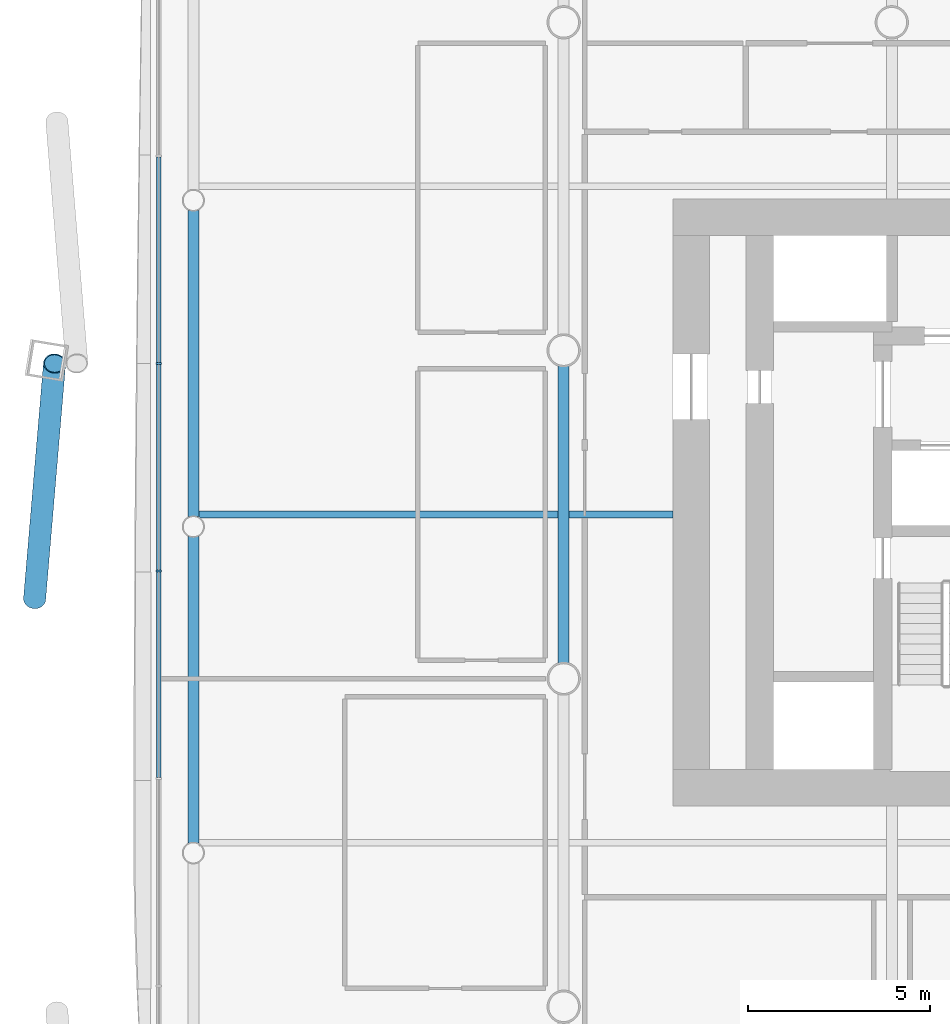
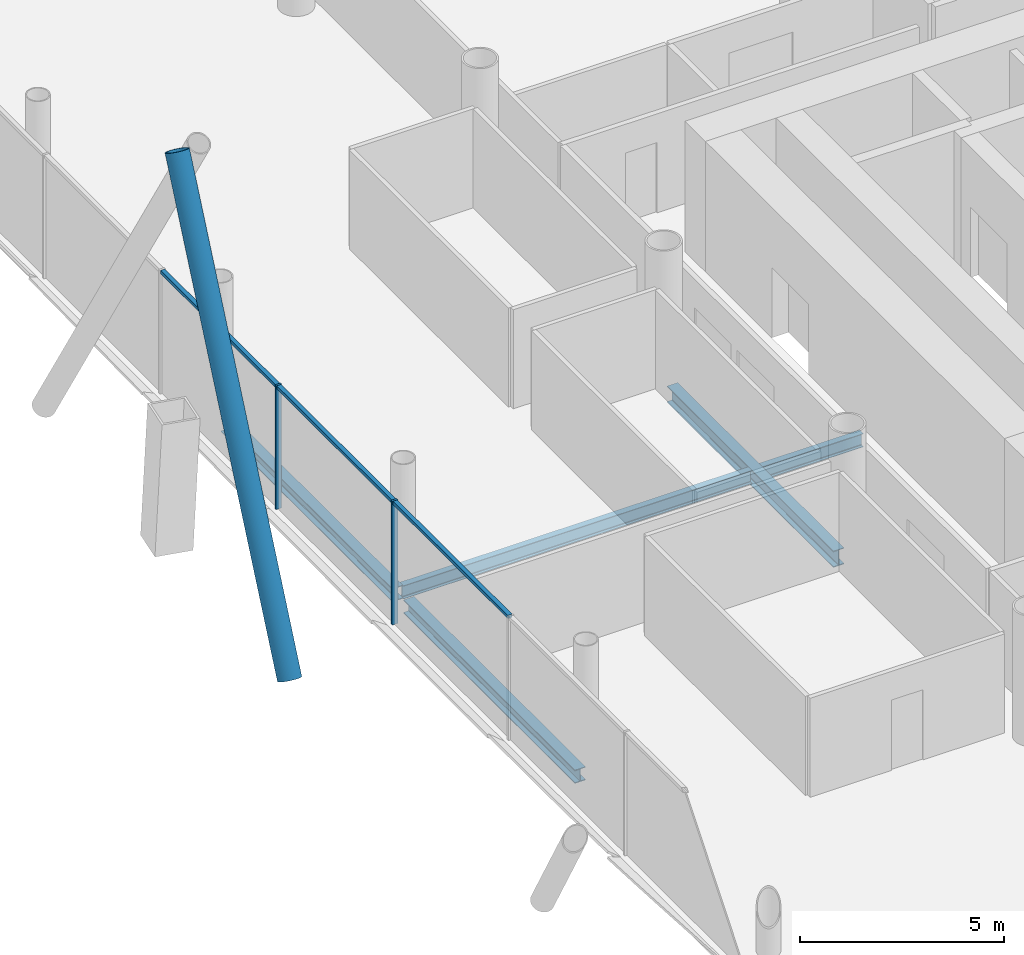
# One storey, part 4 of 21: 6 members, 5 beams, 1 element without a shape of its own.
"""IFC4 building model written with IfcOpenShell, lengths in metres."""

from ifc_helpers import new_model, si_unit, direction, frame, origin, origin_2d, place, context, subcontext, project, spatial, rectangle, hollow_circle, i_section, extrude, material, material_profile, profile_set, type_object, element, aggregate, save


model = new_model("IFC4")

# Units and contexts
model_context = context("Model", 3, precision=1e-05, world=origin(), true_north=direction((0.0, 1.0)))
body_context = subcontext(model_context, "Body", "Model", "MODEL_VIEW")
ifc_project = project(units=[si_unit("LENGTHUNIT", "METRE"), si_unit("AREAUNIT", "SQUARE_METRE"), si_unit("VOLUMEUNIT", "CUBIC_METRE"), si_unit("PLANEANGLEUNIT", "RADIAN"), si_unit("MASSUNIT", "GRAM", prefix="KILO")], contexts=[model_context])

# Site, building, storey
site_placement = place(None, origin())
site = spatial("IfcSite", under=ifc_project, at=site_placement, CompositionType="ELEMENT")
building_placement = place(site_placement, origin())
building = spatial("IfcBuilding", under=site, at=building_placement, Name="Tskaro Facet Tower", CompositionType="ELEMENT")
storey_placement = place(building_placement, frame((0.0, 0.0, 45.89990234375)))
storey = spatial("IfcBuildingStorey", under=building, at=storey_placement, Name="L10", CompositionType="ELEMENT", Elevation=45.89990234375)

# Member
ifc_material_1 = material(Name="Steel S355J2H", Category="steel")
ifc_material_profile_1 = material_profile(ifc_material_1, hollow_circle(Radius=0.304931640625, WallThickness=0.030029296875, at=origin_2d()), Name="CHS 610x30")
ifc_profile_set_1 = profile_set([ifc_material_profile_1], Name="Steel S355J2H")
member_type_1 = type_object("IfcMemberType", Name="CHS 610x30 brace", PredefinedType="BRACE", material=ifc_profile_set_1)
member_1_placement = place(storey_placement, frame((-32.51171875, -6.813720703125, 0.0), z_axis=(0.040944750043, 0.482702641719, 0.874826661186), x_axis=(-0.996421745721, 0.084520439271, 0.0)))
element("IfcMember", 1, at=member_1_placement, inside=storey, type_object=member_type_1, Name="CHS 610x30 XB11B/1", PredefinedType="BRACE", context=body_context, shape_type="SweptSolid", body=[
    extrude(hollow_circle(Radius=0.304931640625, WallThickness=0.030029296875, at=origin_2d()), origin(), (0.0, 0.0, 1.0), 13.374267578125),
])

# Curtain wall, members
ifc_material_2 = material(Name="Bronze anodised aluminium 6063-T6", Category="aluminium")
curtain_wall_type = type_object("IfcCurtainWallType", Name="Bronze office curtain wall (FW1)", PredefinedType="NOTDEFINED", material=ifc_material_2)
curtain_wall_placement = place(storey_placement, origin())
curtain_wall = element("IfcCurtainWall", 2, at=curtain_wall_placement, inside=storey, type_object=curtain_wall_type, Name="FW1 west facet L10", PredefinedType="NOTDEFINED")
ifc_material_profile_2 = material_profile(ifc_material_2, rectangle(XDim=0.06005859375, YDim=0.159912109375, at=origin_2d()), Name="Mullion 60x160")
ifc_profile_set_2 = profile_set([ifc_material_profile_2], Name="Bronze anodised aluminium 6063-T6")
member_type_2 = type_object("IfcMemberType", Name="FW1 bronze mullion 60x160", PredefinedType="MULLION", material=ifc_profile_set_2)
member_2_placement = place(storey_placement, frame((-29.10693359375, -0.3583984375, 0.0), z_axis=(0.0, 0.0, 1.0), x_axis=(0.0, -1.0, 0.0)))
member_2 = element("IfcMember", 3, at=member_2_placement, type_object=member_type_2, Name="FW1 west mullion 4", PredefinedType="MULLION", context=body_context, shape_type="SweptSolid", body=[
    extrude(rectangle(XDim=0.06005859375, YDim=0.159912109375, at=origin_2d()), origin(), (0.0, 0.0, 1.0), 3.7001953125),
])
member_3_placement = place(storey_placement, frame((-29.10693359375, -6.04931640625, 0.0), z_axis=(0.0, 0.0, 1.0), x_axis=(0.0, -1.0, 0.0)))
member_3 = element("IfcMember", 4, at=member_3_placement, type_object=member_type_2, Name="FW1 west mullion 5", PredefinedType="MULLION", context=body_context, shape_type="SweptSolid", body=[
    extrude(rectangle(XDim=0.06005859375, YDim=0.159912109375, at=origin_2d()), origin(), (0.0, 0.0, 1.0), 3.7001953125),
])
ifc_material_profile_3 = material_profile(ifc_material_2, rectangle(XDim=0.1201171875, YDim=0.10009765625, at=origin_2d()), Name="Transom 120x100")
ifc_profile_set_3 = profile_set([ifc_material_profile_3], Name="Bronze anodised aluminium 6063-T6")
member_type_3 = type_object("IfcMemberType", Name="FW1 bronze transom 120x100", PredefinedType="USERDEFINED", material=ifc_profile_set_3)
member_4_placement = place(storey_placement, frame((-29.10693359375, 5.302490234375, 3.650146484375), z_axis=(0.0, -1.0, 0.0), x_axis=(1.0, 0.0, 0.0)))
member_4 = element("IfcMember", 5, at=member_4_placement, type_object=member_type_3, Name="FW1 west transom 4.1", ObjectType="TRANSOM", PredefinedType="USERDEFINED", context=body_context, shape_type="SweptSolid", body=[
    extrude(rectangle(XDim=0.1201171875, YDim=0.10009765625, at=origin_2d()), origin(), (0.0, 0.0, 1.0), 5.631103515625),
])
member_5_placement = place(storey_placement, frame((-29.10693359375, -0.388427734375, 3.650146484375), z_axis=(0.0, -1.0, 0.0), x_axis=(1.0, 0.0, 0.0)))
member_5 = element("IfcMember", 6, at=member_5_placement, type_object=member_type_3, Name="FW1 west transom 5.1", ObjectType="TRANSOM", PredefinedType="USERDEFINED", context=body_context, shape_type="SweptSolid", body=[
    extrude(rectangle(XDim=0.1201171875, YDim=0.10009765625, at=origin_2d()), origin(), (0.0, 0.0, 1.0), 5.630859375),
])
member_6_placement = place(storey_placement, frame((-29.10693359375, -6.079345703125, 3.650146484375), z_axis=(0.0, -1.0, 0.0), x_axis=(1.0, 0.0, 0.0)))
member_6 = element("IfcMember", 7, at=member_6_placement, type_object=member_type_3, Name="FW1 west transom 6.1", ObjectType="TRANSOM", PredefinedType="USERDEFINED", context=body_context, shape_type="SweptSolid", body=[
    extrude(rectangle(XDim=0.1201171875, YDim=0.10009765625, at=origin_2d()), origin(), (0.0, 0.0, 1.0), 5.630859375),
])
aggregate(curtain_wall, [member_2, member_3, member_4, member_5, member_6])

# Beams
ifc_material_3 = material(Name="Steel S355J2", Category="steel")
ifc_material_profile_4 = material_profile(ifc_material_3, i_section(OverallWidth=0.300048828125, OverallDepth=0.39990234375, WebThickness=0.013427734375, FlangeThickness=0.02392578125, FilletRadius=0.027099609375, at=origin_2d()), Name="HE 400 B")
ifc_profile_set_4 = profile_set([ifc_material_profile_4], Name="Steel S355J2")
beam_type_1 = type_object("IfcBeamType", Name="HE 400 B ring beam", PredefinedType="BEAM", material=ifc_profile_set_4)
beam_1_placement = place(storey_placement, frame((-28.156982421875, 3.841064453125, -0.33984375), z_axis=(0.0, -1.0, 0.0), x_axis=(1.0, 0.0, 0.0)))
element("IfcBeam", 8, at=beam_1_placement, inside=storey, type_object=beam_type_1, Name="HE 400 B EB22-1", PredefinedType="BEAM", context=body_context, shape_type="SweptSolid", body=[
    extrude(i_section(OverallWidth=0.300048828125, OverallDepth=0.39990234375, WebThickness=0.013427734375, FlangeThickness=0.02392578125, FilletRadius=0.027099609375, at=origin_2d()), origin(), (0.0, 0.0, 1.0), 8.399169921875),
])
beam_2_placement = place(storey_placement, frame((-28.156982421875, -5.10791015625, -0.33984375), z_axis=(0.0, -1.0, 0.0), x_axis=(1.0, 0.0, 0.0)))
element("IfcBeam", 9, at=beam_2_placement, inside=storey, type_object=beam_type_1, Name="HE 400 B EB23-1", PredefinedType="BEAM", context=body_context, shape_type="SweptSolid", body=[
    extrude(i_section(OverallWidth=0.300048828125, OverallDepth=0.39990234375, WebThickness=0.013427734375, FlangeThickness=0.02392578125, FilletRadius=0.027099609375, at=origin_2d()), origin(), (0.0, 0.0, 1.0), 8.398193359375),
])
ifc_material_profile_5 = material_profile(ifc_material_3, i_section(OverallWidth=0.300048828125, OverallDepth=0.489990234375, WebThickness=0.011962890625, FlangeThickness=0.02294921875, FilletRadius=0.027099609375, at=origin_2d()), Name="HE 500 A")
ifc_profile_set_5 = profile_set([ifc_material_profile_5], Name="Steel S355J2")
beam_type_2 = type_object("IfcBeamType", Name="HE 500 A girder", PredefinedType="BEAM", material=ifc_profile_set_5)
beam_3_placement = place(storey_placement, frame((-18.0, -8.57275390625, -0.385009765625), z_axis=(0.0, 1.0, 0.0), x_axis=(-1.0, 0.0, 0.0)))
element("IfcBeam", 10, at=beam_3_placement, inside=storey, type_object=beam_type_2, Name="HE 500 A GB2-3-1", PredefinedType="BEAM", context=body_context, shape_type="SweptSolid", body=[
    extrude(i_section(OverallWidth=0.300048828125, OverallDepth=0.489990234375, WebThickness=0.011962890625, FlangeThickness=0.02294921875, FilletRadius=0.027099609375, at=origin_2d()), origin(), (0.0, 0.0, 1.0), 8.1455078125),
])
ifc_material_profile_6 = material_profile(ifc_material_3, i_section(OverallWidth=0.179931640625, OverallDepth=0.39990234375, WebThickness=0.008544921875, FlangeThickness=0.013427734375, FilletRadius=0.02099609375, at=origin_2d()), Name="IPE 400")
ifc_profile_set_6 = profile_set([ifc_material_profile_6], Name="Steel S355J2")
beam_type_3 = type_object("IfcBeamType", Name="IPE 400 secondary beam", PredefinedType="BEAM", material=ifc_profile_set_6)
beam_4_placement = place(storey_placement, frame((-28.007080078125, -4.5, -0.33984375), z_axis=(1.0, 0.0, 0.0), x_axis=(0.0, 1.0, 0.0)))
element("IfcBeam", 11, at=beam_4_placement, inside=storey, type_object=beam_type_3, Name="IPE 400 SB3a-1-1", PredefinedType="BEAM", context=body_context, shape_type="SweptSolid", body=[
    extrude(i_section(OverallWidth=0.179931640625, OverallDepth=0.39990234375, WebThickness=0.008544921875, FlangeThickness=0.013427734375, FilletRadius=0.02099609375, at=origin_2d()), origin(), (0.0, 0.0, 1.0), 9.857177734375),
])
beam_5_placement = place(storey_placement, frame((-17.85009765625, -4.5, -0.33984375), z_axis=(1.0, 0.0, 0.0), x_axis=(0.0, 1.0, 0.0)))
element("IfcBeam", 12, at=beam_5_placement, inside=storey, type_object=beam_type_3, Name="IPE 400 SB3a-2-1", PredefinedType="BEAM", context=body_context, shape_type="SweptSolid", body=[
    extrude(i_section(OverallWidth=0.179931640625, OverallDepth=0.39990234375, WebThickness=0.008544921875, FlangeThickness=0.013427734375, FilletRadius=0.02099609375, at=origin_2d()), origin(), (0.0, 0.0, 1.0), 2.85009765625),
])

save(model, "model.ifc")
